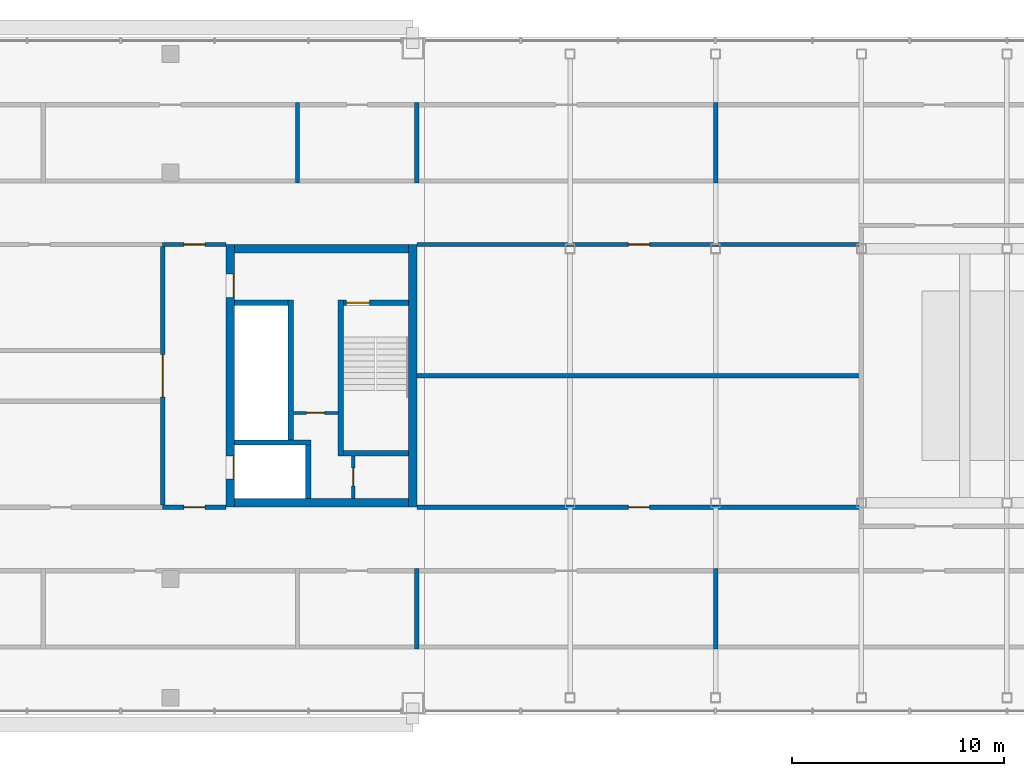
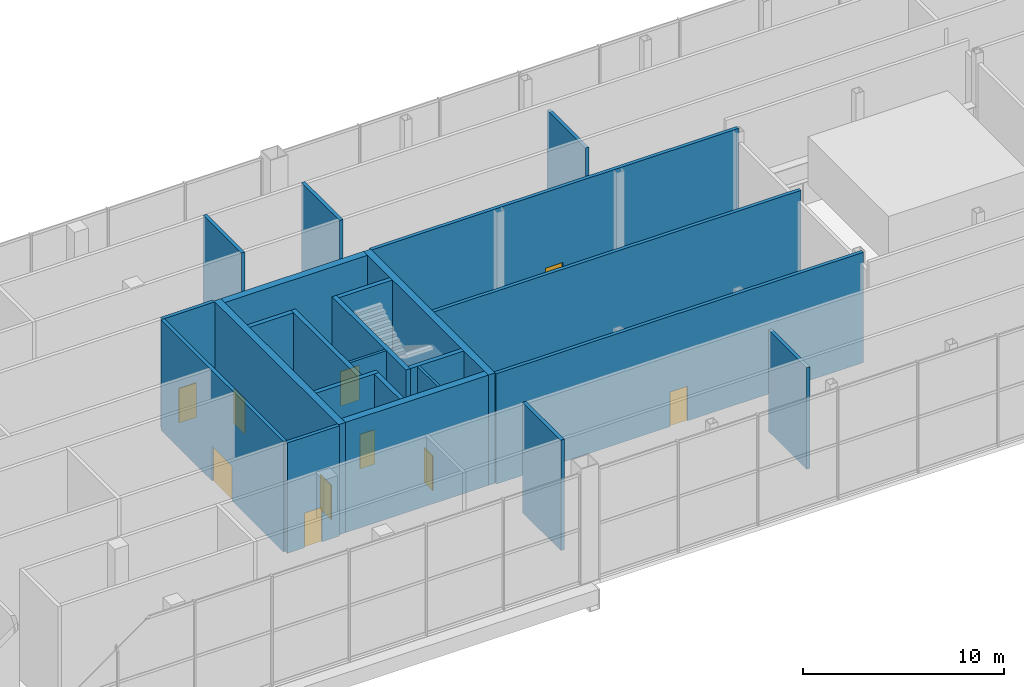
# One storey, part 18 of 27: 24 walls, 10 doors, 10 openings.
"""IFC4 building model written with IfcOpenShell, lengths in metres."""

from ifc_helpers import new_model, si_unit, direction, frame, frame_2d, origin, place, context, subcontext, project, spatial, rectangle, extrude, material, layer, layer_set, type_object, element, fill, save


model = new_model("IFC4")

# Units and contexts
model_context = context("Model", 3, precision=1e-05, world=origin(), true_north=direction((0.0, 1.0)))
body_context = subcontext(model_context, "Body", "Model", "MODEL_VIEW")
ifc_project = project(units=[si_unit("LENGTHUNIT", "METRE"), si_unit("AREAUNIT", "SQUARE_METRE"), si_unit("VOLUMEUNIT", "CUBIC_METRE"), si_unit("PLANEANGLEUNIT", "RADIAN"), si_unit("MASSUNIT", "GRAM", prefix="KILO")], contexts=[model_context])

# Site, building, storey
site_placement = place(None, origin())
site = spatial("IfcSite", under=ifc_project, at=site_placement, CompositionType="ELEMENT")
building_placement = place(site_placement, origin())
building = spatial("IfcBuilding", under=site, at=building_placement, Name="Tuart Gate Housing", CompositionType="ELEMENT")
storey_placement = place(building_placement, frame((0.0, 0.0, 236.89990234375)))
storey = spatial("IfcBuildingStorey", under=building, at=storey_placement, Name="L67", CompositionType="ELEMENT", Elevation=236.89990234375)

# Wall, opening, door
ifc_material_1 = material(Name="Plasterboard partition")
ifc_layer_1 = layer(ifc_material_1, 0.14990234375)
ifc_layer_set_1 = layer_set([ifc_layer_1], Name="Core partition 150")
wall_type_1 = type_object("IfcWallType", Name="Core partition 150", PredefinedType="PARTITIONING", material=ifc_layer_set_1)
wall_1_placement = place(storey_placement, frame((69.81494140625, 68.25, 0.0), z_axis=(0.0, 0.0, 1.0), x_axis=(1.0, 0.0, 0.0)))
wall_1 = element("IfcWall", 1, at=wall_1_placement, inside=storey, type_object=wall_type_1, Name="Core partition AG.3", PredefinedType="PARTITIONING", context=body_context, shape_type="SweptSolid", body=[
    extrude(rectangle(XDim=2.10009765625, YDim=0.14990234375, at=frame_2d((1.050048828125, 0.0))), origin(), (0.0, 0.0, 1.0), 6.7001953125),
])
opening_1_placement = place(wall_1_placement, frame((0.625, 0.0, 0.0)))
opening_1 = element("IfcOpeningElement", 2, at=opening_1_placement, cuts=wall_1, Name="Opening D289", PredefinedType="OPENING", context=body_context, shape_type="SweptSolid", body=[
    extrude(rectangle(XDim=0.85009765625, YDim=2.10009765625, at=frame_2d((0.425048828125, 1.050048828125))), frame((0.0, 0.0849609375, 0.0), z_axis=(0.0, -1.0, 0.0), x_axis=(1.0, 0.0, 0.0)), (0.0, 0.0, 1.0), 0.169921875),
])
ifc_material_2 = material(Name="Steel fire door", Category="steel")
door_type_1 = type_object("IfcDoorType", Name="Riser door 850 x 2100 RH", OperationType="SINGLE_SWING_RIGHT", PredefinedType="DOOR", material=ifc_material_2)
door_1_placement = place(opening_1_placement, frame((0.85009765625, 0.0, 0.0), z_axis=(0.0, 0.0, 1.0), x_axis=(-1.0, 0.0, 0.0)))
door_1 = element("IfcDoor", 3, at=door_1_placement, inside=storey, type_object=door_type_1, Name="Service room door AG.E1", OperationType="SINGLE_SWING_RIGHT", OverallHeight=2.10009765625, OverallWidth=0.85009765625, PredefinedType="DOOR", context=body_context, shape_type="SweptSolid", body=[
    extrude(rectangle(XDim=0.85009765625, YDim=2.10009765625, at=frame_2d((0.425048828125, 1.050048828125))), frame((0.0, 0.025146484375, 0.0), z_axis=(0.0, -1.0, 0.0), x_axis=(1.0, 0.0, 0.0)), (0.0, 0.0, 1.0), 0.050048828125),
])
fill(opening_1, door_1)

wall_2_placement = place(storey_placement, frame((72.639892578125, 64.199951171875, 0.0), z_axis=(0.0, 0.0, 1.0), x_axis=(0.0, 1.0, 0.0)))
wall_2 = element("IfcWall", 4, at=wall_2_placement, inside=storey, type_object=wall_type_1, Name="Core partition AG.9", PredefinedType="PARTITIONING", context=body_context, shape_type="SweptSolid", body=[
    extrude(rectangle(XDim=2.025146484375, YDim=0.14990234375, at=frame_2d((1.0126953125, 0.0))), origin(), (0.0, 0.0, 1.0), 6.7001953125),
])
opening_2_placement = place(wall_2_placement, frame((0.58740234375, 0.0, 0.0)))
opening_2 = element("IfcOpeningElement", 5, at=opening_2_placement, cuts=wall_2, Name="Opening D291", PredefinedType="OPENING", context=body_context, shape_type="SweptSolid", body=[
    extrude(rectangle(XDim=0.85009765625, YDim=2.10009765625, at=frame_2d((0.425048828125, 1.050048828125))), frame((0.0, 0.0849609375, 0.0), z_axis=(0.0, -1.0, 0.0), x_axis=(1.0, 0.0, 0.0)), (0.0, 0.0, 1.0), 0.169921875),
])
ifc_material_3 = material(Name="Steel fire door", Category="steel")
door_type_2 = type_object("IfcDoorType", Name="Service door 850 x 2100", OperationType="SINGLE_SWING_LEFT", PredefinedType="DOOR", material=ifc_material_3)
door_2_placement = place(opening_2_placement, origin())
door_2 = element("IfcDoor", 6, at=door_2_placement, inside=storey, type_object=door_type_2, Name="Service room door AG.E2", OperationType="SINGLE_SWING_LEFT", OverallHeight=2.10009765625, OverallWidth=0.85009765625, PredefinedType="DOOR", context=body_context, shape_type="SweptSolid", body=[
    extrude(rectangle(XDim=0.85009765625, YDim=2.10009765625, at=frame_2d((0.425048828125, 1.050048828125))), frame((0.0, 0.02490234375, 0.0), z_axis=(0.0, -1.0, 0.0), x_axis=(1.0, 0.0, 0.0)), (0.0, 0.0, 1.0), 0.050048828125),
])
fill(opening_2, door_2)

# Walls
ifc_material_4 = material(Name="Concrete C40", Category="concrete")
ifc_layer_2 = layer(ifc_material_4, 0.25)
ifc_layer_set_2 = layer_set([ifc_layer_2], Name="Core wall 250 C40")
wall_type_2 = type_object("IfcWallType", Name="Core wall 250 C40", PredefinedType="SHEAR", material=ifc_layer_set_2)
wall_3_placement = place(storey_placement, frame((72.1650390625, 66.35009765625, 0.0), z_axis=(0.0, 0.0, 1.0), x_axis=(1.0, 0.0, 0.0)))
element("IfcWall", 7, at=wall_3_placement, inside=storey, type_object=wall_type_2, Name="Core wall AG.1", PredefinedType="SHEAR", context=body_context, shape_type="SweptSolid", body=[
    extrude(rectangle(XDim=3.074951171875, YDim=0.25, at=frame_2d((1.53759765625, 0.0))), origin(), (0.0, 0.0, 1.0), 6.7001953125),
])
wall_4_placement = place(storey_placement, frame((67.0400390625, 66.85009765625, 0.0), z_axis=(0.0, 0.0, 1.0), x_axis=(1.0, 0.0, 0.0)))
element("IfcWall", 8, at=wall_4_placement, inside=storey, type_object=wall_type_2, Name="Core wall AG.2", PredefinedType="SHEAR", context=body_context, shape_type="SweptSolid", body=[
    extrude(rectangle(XDim=3.594970703125, YDim=0.25, at=frame_2d((1.79736328125, 0.0))), origin(), (0.0, 0.0, 1.0), 6.7001953125),
])
wall_5_placement = place(storey_placement, frame((67.0400390625, 73.449951171875, 0.0), z_axis=(0.0, 0.0, 1.0), x_axis=(1.0, 0.0, 0.0)))
element("IfcWall", 9, at=wall_5_placement, inside=storey, type_object=wall_type_2, Name="Core wall AG.4", PredefinedType="SHEAR", context=body_context, shape_type="SweptSolid", body=[
    extrude(rectangle(XDim=2.52490234375, YDim=0.25, at=frame_2d((1.262451171875, 0.0))), origin(), (0.0, 0.0, 1.0), 6.7001953125),
])

# Wall, opening, door
wall_6_placement = place(storey_placement, frame((72.1650390625, 73.449951171875, 0.0), z_axis=(0.0, 0.0, 1.0), x_axis=(1.0, 0.0, 0.0)))
wall_6 = element("IfcWall", 10, at=wall_6_placement, inside=storey, type_object=wall_type_2, Name="Core wall AG.5", PredefinedType="SHEAR", context=body_context, shape_type="SweptSolid", body=[
    extrude(rectangle(XDim=3.074951171875, YDim=0.25, at=frame_2d((1.53759765625, 0.0))), origin(), (0.0, 0.0, 1.0), 6.7001953125),
])
opening_3_placement = place(wall_6_placement, frame((0.14990234375, 0.0, 0.0)))
opening_3 = element("IfcOpeningElement", 11, at=opening_3_placement, cuts=wall_6, Name="Opening D280", PredefinedType="OPENING", context=body_context, shape_type="SweptSolid", body=[
    extrude(rectangle(XDim=1.10009765625, YDim=2.10009765625, at=frame_2d((0.550048828125, 1.050048828125))), frame((0.0, 0.135009765625, 0.0), z_axis=(0.0, -1.0, 0.0), x_axis=(1.0, 0.0, 0.0)), (0.0, 0.0, 1.0), 0.27001953125),
])
ifc_material_5 = material(Name="Steel fire door", Category="steel")
door_type_3 = type_object("IfcDoorType", Name="Stair door 1100 x 2100 RH", OperationType="SINGLE_SWING_RIGHT", PredefinedType="DOOR", material=ifc_material_5)
door_3_placement = place(opening_3_placement, frame((1.10009765625, 0.0, 0.0), z_axis=(0.0, 0.0, 1.0), x_axis=(-1.0, 0.0, 0.0)))
door_3 = element("IfcDoor", 12, at=door_3_placement, inside=storey, type_object=door_type_3, Name="Stair door AG.SD", OperationType="SINGLE_SWING_RIGHT", OverallHeight=2.10009765625, OverallWidth=1.10009765625, PredefinedType="DOOR", context=body_context, shape_type="SweptSolid", body=[
    extrude(rectangle(XDim=1.10009765625, YDim=2.10009765625, at=frame_2d((0.550048828125, 1.050048828125))), frame((0.0, 0.025146484375, 0.0), z_axis=(0.0, -1.0, 0.0), x_axis=(1.0, 0.0, 0.0)), (0.0, 0.0, 1.0), 0.050048828125),
])
fill(opening_3, door_3)

# Walls
wall_7_placement = place(storey_placement, frame((69.68994140625, 66.97509765625, 0.0), z_axis=(0.0, 0.0, 1.0), x_axis=(0.0, 1.0, 0.0)))
element("IfcWall", 13, at=wall_7_placement, inside=storey, type_object=wall_type_2, Name="Core wall AG.6", PredefinedType="SHEAR", context=body_context, shape_type="SweptSolid", body=[
    extrude(rectangle(XDim=6.599853515625, YDim=0.25, at=frame_2d((3.2998046875, 0.0))), origin(), (0.0, 0.0, 1.0), 6.7001953125),
])
wall_8_placement = place(storey_placement, frame((70.510009765625, 64.199951171875, 0.0), z_axis=(0.0, 0.0, 1.0), x_axis=(0.0, 1.0, 0.0)))
element("IfcWall", 14, at=wall_8_placement, inside=storey, type_object=wall_type_2, Name="Core wall AG.7", PredefinedType="SHEAR", context=body_context, shape_type="SweptSolid", body=[
    extrude(rectangle(XDim=2.525146484375, YDim=0.25, at=frame_2d((1.2626953125, 0.0))), origin(), (0.0, 0.0, 1.0), 6.7001953125),
])
wall_9_placement = place(storey_placement, frame((72.0400390625, 66.22509765625, 0.0), z_axis=(0.0, 0.0, 1.0), x_axis=(0.0, 1.0, 0.0)))
element("IfcWall", 15, at=wall_9_placement, inside=storey, type_object=wall_type_2, Name="Core wall AG.8", PredefinedType="SHEAR", context=body_context, shape_type="SweptSolid", body=[
    extrude(rectangle(XDim=7.349853515625, YDim=0.25, at=frame_2d((3.6748046875, 0.0))), origin(), (0.0, 0.0, 1.0), 6.7001953125),
])

# Wall, openings, doors
ifc_material_6 = material(Name="Concrete C40", Category="concrete")
ifc_layer_3 = layer(ifc_material_6, 0.39990234375)
ifc_layer_set_3 = layer_set([ifc_layer_3], Name="Core wall 400 C40")
wall_type_3 = type_object("IfcWallType", Name="Core wall 400 C40", PredefinedType="SHEAR", material=ifc_layer_set_3)
wall_10_placement = place(storey_placement, frame((66.840087890625, 63.800048828125, 0.0), z_axis=(0.0, 0.0, 1.0), x_axis=(0.0, 1.0, 0.0)))
wall_10 = element("IfcWall", 16, at=wall_10_placement, inside=storey, type_object=wall_type_3, Name="Core wall AG front", PredefinedType="SHEAR", context=body_context, shape_type="SweptSolid", body=[
    extrude(rectangle(XDim=12.39990234375, YDim=0.39990234375, at=frame_2d((6.199951171875, 0.0))), origin(), (0.0, 0.0, 1.0), 6.7001953125),
])
opening_4_placement = place(wall_10_placement, frame((1.324951171875, 0.0, 0.0)))
opening_4 = element("IfcOpeningElement", 17, at=opening_4_placement, cuts=wall_10, Name="Opening LD-FA1", PredefinedType="OPENING", context=body_context, shape_type="SweptSolid", body=[
    extrude(rectangle(XDim=1.10009765625, YDim=2.10009765625, at=frame_2d((0.550048828125, 1.050048828125))), frame((0.0, 0.2099609375, 0.0), z_axis=(0.0, -1.0, 0.0), x_axis=(1.0, 0.0, 0.0)), (0.0, 0.0, 1.0), 0.419921875),
])
opening_5_placement = place(wall_10_placement, frame((9.89990234375, 0.0, 0.0)))
opening_5 = element("IfcOpeningElement", 18, at=opening_5_placement, cuts=wall_10, Name="Opening D288", PredefinedType="OPENING", context=body_context, shape_type="SweptSolid", body=[
    extrude(rectangle(XDim=1.10009765625, YDim=2.10009765625, at=frame_2d((0.550048828125, 1.050048828125))), frame((0.0, 0.2099609375, 0.0), z_axis=(0.0, -1.0, 0.0), x_axis=(1.0, 0.0, 0.0)), (0.0, 0.0, 1.0), 0.419921875),
])
ifc_material_7 = material(Name="Stainless steel", Category="steel")
door_type_4 = type_object("IfcDoorType", Name="Landing door 1100 x 2100", OperationType="DOUBLE_DOOR_SLIDING", PredefinedType="DOOR", material=ifc_material_7)
door_4_placement = place(opening_4_placement, origin())
door_4 = element("IfcDoor", 19, at=door_4_placement, inside=storey, type_object=door_type_4, Name="Lift landing door FA1", OperationType="DOUBLE_DOOR_SLIDING", OverallHeight=2.10009765625, OverallWidth=1.10009765625, PredefinedType="DOOR", context=body_context, shape_type="SweptSolid", body=[
    extrude(rectangle(XDim=1.10009765625, YDim=2.10009765625, at=frame_2d((0.550048828125, 1.050048828125))), frame((0.0, -0.134765625, 0.0), z_axis=(0.0, -1.0, 0.0), x_axis=(1.0, 0.0, 0.0)), (0.0, 0.0, 1.0), 0.050048828125),
])
fill(opening_4, door_4)
ifc_material_8 = material(Name="Steel fire door", Category="steel")
door_type_5 = type_object("IfcDoorType", Name="Lobby door 1100 x 2100 RH", OperationType="SINGLE_SWING_RIGHT", PredefinedType="DOOR", material=ifc_material_8)
door_5_placement = place(opening_5_placement, frame((1.10009765625, 0.0, 0.0), z_axis=(0.0, 0.0, 1.0), x_axis=(-1.0, 0.0, 0.0)))
door_5 = element("IfcDoor", 20, at=door_5_placement, inside=storey, type_object=door_type_5, Name="Lobby entry door AG.EN", OperationType="SINGLE_SWING_RIGHT", OverallHeight=2.10009765625, OverallWidth=1.10009765625, PredefinedType="DOOR", context=body_context, shape_type="SweptSolid", body=[
    extrude(rectangle(XDim=1.10009765625, YDim=2.10009765625, at=frame_2d((0.550048828125, 1.050048828125))), frame((0.0, 0.184814453125, 0.0), z_axis=(0.0, -1.0, 0.0), x_axis=(1.0, 0.0, 0.0)), (0.0, 0.0, 1.0), 0.050048828125),
])
fill(opening_5, door_5)

# Walls
wall_11_placement = place(storey_placement, frame((75.43994140625, 63.800048828125, 0.0), z_axis=(0.0, 0.0, 1.0), x_axis=(0.0, 1.0, 0.0)))
element("IfcWall", 21, at=wall_11_placement, inside=storey, type_object=wall_type_3, Name="Core wall AG back", PredefinedType="SHEAR", context=body_context, shape_type="SweptSolid", body=[
    extrude(rectangle(XDim=12.39990234375, YDim=0.39990234375, at=frame_2d((6.199951171875, 0.0))), origin(), (0.0, 0.0, 1.0), 6.7001953125),
])
for number, where, z_axis, x_axis, name in (
    (22, (67.0400390625, 64.0, 0.0), (0.0, 0.0, 1.0), (1.0, 0.0, 0.0), "Core wall AG south"),
    (23, (67.0400390625, 76.0, 0.0), (0.0, 0.0, 1.0), (1.0, 0.0, 0.0), "Core wall AG north"),
):
    element("IfcWall", number, at=place(storey_placement, frame(where, z_axis=z_axis, x_axis=x_axis)), inside=storey, type_object=wall_type_3, Name=name, PredefinedType="SHEAR", context=body_context, shape_type="SweptSolid", body=[
        extrude(rectangle(XDim=8.199951171875, YDim=0.39990234375, at=frame_2d((4.10009765625, 0.0))), origin(), (0.0, 0.0, 1.0), 6.7001953125),
    ])

# Wall, opening, door
ifc_material_9 = material(Name="Concrete masonry 15 MPa", Category="masonry")
ifc_layer_4 = layer(ifc_material_9, 0.199951171875)
ifc_layer_set_4 = layer_set([ifc_layer_4], Name="Enclosure wall masonry 200")
wall_type_4 = type_object("IfcWallType", Name="Enclosure wall masonry 200", PredefinedType="PARTITIONING", material=ifc_layer_set_4)
wall_12_placement = place(storey_placement, frame((75.639892578125, 63.800048828125, 0.0), z_axis=(0.0, 0.0, 1.0), x_axis=(1.0, 0.0, 0.0)))
wall_12 = element("IfcWall", 24, at=wall_12_placement, inside=storey, type_object=wall_type_4, Name="Enclosure wall masonry 200", PredefinedType="PARTITIONING", context=body_context, shape_type="SweptSolid", body=[
    extrude(rectangle(XDim=21.085205078125, YDim=0.199951171875, at=frame_2d((10.54248046875, 0.0))), origin(), (0.0, 0.0, 1.0), 6.7001953125),
])
opening_6_placement = place(wall_12_placement, frame((9.991943359375, 0.0, 0.0)))
opening_6 = element("IfcOpeningElement", 25, at=opening_6_placement, cuts=wall_12, Name="Opening D309", PredefinedType="OPENING", context=body_context, shape_type="SweptSolid", body=[
    extrude(rectangle(XDim=1.0, YDim=2.10009765625, at=frame_2d((0.5, 1.050048828125))), frame((0.0, 0.10986328125, 0.0), z_axis=(0.0, -1.0, 0.0), x_axis=(1.0, 0.0, 0.0)), (0.0, 0.0, 1.0), 0.219970703125),
])
ifc_material_10 = material(Name="Timber door leaf in steel frame", Category="steel")
door_type_6 = type_object("IfcDoorType", Name="Fire door 1000", OperationType="SINGLE_SWING_LEFT", PredefinedType="DOOR", material=ifc_material_10)
door_6_placement = place(opening_6_placement, origin())
door_6 = element("IfcDoor", 26, at=door_6_placement, inside=storey, type_object=door_type_6, Name="Fire door 1000", OperationType="SINGLE_SWING_LEFT", OverallHeight=2.10009765625, OverallWidth=1.0, PredefinedType="DOOR", context=body_context, shape_type="SweptSolid", body=[
    extrude(rectangle(XDim=1.0, YDim=2.10009765625, at=frame_2d((0.5, 1.050048828125))), frame((0.0, 0.02490234375, 0.0), z_axis=(0.0, -1.0, 0.0), x_axis=(1.0, 0.0, 0.0)), (0.0, 0.0, 1.0), 0.050048828125),
])
fill(opening_6, door_6)

wall_13_placement = place(storey_placement, frame((63.639892578125, 63.800048828125, 0.0), z_axis=(0.0, 0.0, 1.0), x_axis=(1.0, 0.0, 0.0)))
wall_13 = element("IfcWall", 27, at=wall_13_placement, inside=storey, type_object=wall_type_4, Name="Enclosure wall masonry 200", PredefinedType="PARTITIONING", context=body_context, shape_type="SweptSolid", body=[
    extrude(rectangle(XDim=3.0, YDim=0.199951171875, at=frame_2d((1.5, 0.0))), origin(), (0.0, 0.0, 1.0), 6.7001953125),
])
opening_7_placement = place(wall_13_placement, frame((1.0, 0.0, 0.0)))
opening_7 = element("IfcOpeningElement", 28, at=opening_7_placement, cuts=wall_13, Name="Opening D295", PredefinedType="OPENING", context=body_context, shape_type="SweptSolid", body=[
    extrude(rectangle(XDim=1.0, YDim=2.10009765625, at=frame_2d((0.5, 1.050048828125))), frame((0.0, 0.10986328125, 0.0), z_axis=(0.0, -1.0, 0.0), x_axis=(1.0, 0.0, 0.0)), (0.0, 0.0, 1.0), 0.219970703125),
])
ifc_material_11 = material(Name="Timber door leaf in steel frame", Category="steel")
door_type_7 = type_object("IfcDoorType", Name="Lobby door 1000", OperationType="SINGLE_SWING_LEFT", PredefinedType="DOOR", material=ifc_material_11)
door_7_placement = place(opening_7_placement, origin())
door_7 = element("IfcDoor", 29, at=door_7_placement, inside=storey, type_object=door_type_7, Name="Lobby door 1000", OperationType="SINGLE_SWING_LEFT", OverallHeight=2.10009765625, OverallWidth=1.0, PredefinedType="DOOR", context=body_context, shape_type="SweptSolid", body=[
    extrude(rectangle(XDim=1.0, YDim=2.10009765625, at=frame_2d((0.5, 1.050048828125))), frame((0.0, 0.02490234375, 0.0), z_axis=(0.0, -1.0, 0.0), x_axis=(1.0, 0.0, 0.0)), (0.0, 0.0, 1.0), 0.050048828125),
])
fill(opening_7, door_7)

# Wall
wall_14_placement = place(storey_placement, frame((75.639892578125, 70.0, 0.0), z_axis=(0.0, 0.0, 1.0), x_axis=(1.0, 0.0, 0.0)))
element("IfcWall", 30, at=wall_14_placement, inside=storey, type_object=wall_type_4, Name="Enclosure wall masonry 200", PredefinedType="PARTITIONING", context=body_context, shape_type="SweptSolid", body=[
    extrude(rectangle(XDim=21.085205078125, YDim=0.199951171875, at=frame_2d((10.54248046875, 0.0))), origin(), (0.0, 0.0, 1.0), 6.7001953125),
])

# Wall, opening, door
wall_15_placement = place(storey_placement, frame((75.639892578125, 76.199951171875, 0.0), z_axis=(0.0, 0.0, 1.0), x_axis=(1.0, 0.0, 0.0)))
wall_15 = element("IfcWall", 31, at=wall_15_placement, inside=storey, type_object=wall_type_4, Name="Enclosure wall masonry 200", PredefinedType="PARTITIONING", context=body_context, shape_type="SweptSolid", body=[
    extrude(rectangle(XDim=21.085205078125, YDim=0.199951171875, at=frame_2d((10.54248046875, 0.0))), origin(), (0.0, 0.0, 1.0), 6.7001953125),
])
opening_8_placement = place(wall_15_placement, frame((9.991943359375, 0.0, 0.0)))
opening_8 = element("IfcOpeningElement", 32, at=opening_8_placement, cuts=wall_15, Name="Opening D307", PredefinedType="OPENING", context=body_context, shape_type="SweptSolid", body=[
    extrude(rectangle(XDim=1.0, YDim=2.10009765625, at=frame_2d((0.5, 1.050048828125))), frame((0.0, 0.10986328125, 0.0), z_axis=(0.0, -1.0, 0.0), x_axis=(1.0, 0.0, 0.0)), (0.0, 0.0, 1.0), 0.219970703125),
])
ifc_material_12 = material(Name="Timber door leaf in steel frame", Category="steel")
door_type_8 = type_object("IfcDoorType", Name="Fire door 1000 RH", OperationType="SINGLE_SWING_RIGHT", PredefinedType="DOOR", material=ifc_material_12)
door_8_placement = place(opening_8_placement, frame((1.0, 0.0, 0.0), z_axis=(0.0, 0.0, 1.0), x_axis=(-1.0, 0.0, 0.0)))
door_8 = element("IfcDoor", 33, at=door_8_placement, inside=storey, type_object=door_type_8, Name="Fire door 1000", OperationType="SINGLE_SWING_RIGHT", OverallHeight=2.10009765625, OverallWidth=1.0, PredefinedType="DOOR", context=body_context, shape_type="SweptSolid", body=[
    extrude(rectangle(XDim=1.0, YDim=2.10009765625, at=frame_2d((0.5, 1.050048828125))), frame((0.0, 0.025146484375, 0.0), z_axis=(0.0, -1.0, 0.0), x_axis=(1.0, 0.0, 0.0)), (0.0, 0.0, 1.0), 0.050048828125),
])
fill(opening_8, door_8)

wall_16_placement = place(storey_placement, frame((63.639892578125, 76.199951171875, 0.0), z_axis=(0.0, 0.0, 1.0), x_axis=(1.0, 0.0, 0.0)))
wall_16 = element("IfcWall", 34, at=wall_16_placement, inside=storey, type_object=wall_type_4, Name="Enclosure wall masonry 200", PredefinedType="PARTITIONING", context=body_context, shape_type="SweptSolid", body=[
    extrude(rectangle(XDim=3.0, YDim=0.199951171875, at=frame_2d((1.5, 0.0))), origin(), (0.0, 0.0, 1.0), 6.7001953125),
])
opening_9_placement = place(wall_16_placement, frame((1.0, 0.0, 0.0)))
opening_9 = element("IfcOpeningElement", 35, at=opening_9_placement, cuts=wall_16, Name="Opening D279", PredefinedType="OPENING", context=body_context, shape_type="SweptSolid", body=[
    extrude(rectangle(XDim=1.0, YDim=2.10009765625, at=frame_2d((0.5, 1.050048828125))), frame((0.0, 0.10986328125, 0.0), z_axis=(0.0, -1.0, 0.0), x_axis=(1.0, 0.0, 0.0)), (0.0, 0.0, 1.0), 0.219970703125),
])
ifc_material_13 = material(Name="Timber door leaf in steel frame", Category="steel")
door_type_9 = type_object("IfcDoorType", Name="Lobby door 1000 RH", OperationType="SINGLE_SWING_RIGHT", PredefinedType="DOOR", material=ifc_material_13)
door_9_placement = place(opening_9_placement, frame((1.0, 0.0, 0.0), z_axis=(0.0, 0.0, 1.0), x_axis=(-1.0, 0.0, 0.0)))
door_9 = element("IfcDoor", 36, at=door_9_placement, inside=storey, type_object=door_type_9, Name="Lobby door 1000", OperationType="SINGLE_SWING_RIGHT", OverallHeight=2.10009765625, OverallWidth=1.0, PredefinedType="DOOR", context=body_context, shape_type="SweptSolid", body=[
    extrude(rectangle(XDim=1.0, YDim=2.10009765625, at=frame_2d((0.5, 1.050048828125))), frame((0.0, 0.025146484375, 0.0), z_axis=(0.0, -1.0, 0.0), x_axis=(1.0, 0.0, 0.0)), (0.0, 0.0, 1.0), 0.050048828125),
])
fill(opening_9, door_9)

# Walls
for number, where, z_axis, x_axis, name in (
    (37, (70.0, 79.10009765625, 0.0), (0.0, 0.0, 1.0), (0.0, 1.0, 0.0), "Enclosure wall masonry 200"),
    (38, (75.639892578125, 57.10009765625, 0.0), (0.0, 0.0, 1.0), (0.0, 1.0, 0.0), "Enclosure wall masonry 200"),
    (39, (75.639892578125, 79.10009765625, 0.0), (0.0, 0.0, 1.0), (0.0, 1.0, 0.0), "Enclosure wall masonry 200"),
):
    element("IfcWall", number, at=place(storey_placement, frame(where, z_axis=z_axis, x_axis=x_axis)), inside=storey, type_object=wall_type_4, Name=name, PredefinedType="PARTITIONING", context=body_context, shape_type="SweptSolid", body=[
        extrude(rectangle(XDim=3.7998046875, YDim=0.199951171875, at=frame_2d((1.89990234375, 0.0))), origin(), (0.0, 0.0, 1.0), 6.7001953125),
    ])
for number, where, z_axis, x_axis, name in (
    (40, (89.75, 57.10009765625, 0.0), (0.0, 0.0, 1.0), (0.0, 1.0, 0.0), "Enclosure wall masonry 200"),
    (41, (89.75, 79.10009765625, 0.0), (0.0, 0.0, 1.0), (0.0, 1.0, 0.0), "Enclosure wall masonry 200"),
):
    element("IfcWall", number, at=place(storey_placement, frame(where, z_axis=z_axis, x_axis=x_axis)), inside=storey, type_object=wall_type_4, Name=name, PredefinedType="PARTITIONING", context=body_context, shape_type="SweptSolid", body=[
        extrude(rectangle(XDim=3.7998046875, YDim=0.199951171875, at=frame_2d((1.89990234375, 0.0))), origin(), (0.0, 0.0, 1.0), 6.1669921875),
    ])

# Wall, opening, door
ifc_material_14 = material(Name="Plasterboard partition")
ifc_layer_5 = layer(ifc_material_14, 0.199951171875)
ifc_layer_set_5 = layer_set([ifc_layer_5], Name="Lobby wall 200")
wall_type_5 = type_object("IfcWallType", Name="Lobby wall 200", PredefinedType="PARTITIONING", material=ifc_layer_set_5)
wall_17_placement = place(storey_placement, frame((63.639892578125, 63.89990234375, 0.0), z_axis=(0.0, 0.0, 1.0), x_axis=(0.0, 1.0, 0.0)))
wall_17 = element("IfcWall", 42, at=wall_17_placement, inside=storey, type_object=wall_type_5, Name="Lift lobby wall AG", PredefinedType="PARTITIONING", context=body_context, shape_type="SweptSolid", body=[
    extrude(rectangle(XDim=12.2001953125, YDim=0.199951171875, at=frame_2d((6.10009765625, 0.0))), origin(), (0.0, 0.0, 1.0), 6.7001953125),
])
opening_10_placement = place(wall_17_placement, frame((5.10009765625, 0.0, 0.0)))
opening_10 = element("IfcOpeningElement", 43, at=opening_10_placement, cuts=wall_17, Name="Opening D287", PredefinedType="OPENING", context=body_context, shape_type="SweptSolid", body=[
    extrude(rectangle(XDim=2.0, YDim=2.10009765625, at=frame_2d((1.0, 1.050048828125))), frame((0.0, 0.10986328125, 0.0), z_axis=(0.0, -1.0, 0.0), x_axis=(1.0, 0.0, 0.0)), (0.0, 0.0, 1.0), 0.219970703125),
])
ifc_material_15 = material(Name="Steel fire door", Category="steel")
door_type_10 = type_object("IfcDoorType", Name="Smoke door 2000 x 2100", OperationType="DOUBLE_DOOR_SINGLE_SWING", PredefinedType="DOOR", material=ifc_material_15)
door_10_placement = place(opening_10_placement, frame((2.0, 0.0, 0.0), z_axis=(0.0, 0.0, 1.0), x_axis=(-1.0, 0.0, 0.0)))
door_10 = element("IfcDoor", 44, at=door_10_placement, inside=storey, type_object=door_type_10, Name="Lift lobby smoke door AG", OperationType="DOUBLE_DOOR_SINGLE_SWING", OverallHeight=2.10009765625, OverallWidth=2.0, PredefinedType="DOOR", context=body_context, shape_type="SweptSolid", body=[
    extrude(rectangle(XDim=2.0, YDim=2.10009765625, at=frame_2d((1.0, 1.050048828125))), frame((0.0, 0.025146484375, 0.0), z_axis=(0.0, -1.0, 0.0), x_axis=(1.0, 0.0, 0.0)), (0.0, 0.0, 1.0), 0.050048828125),
])
fill(opening_10, door_10)

save(model, "model.ifc")
